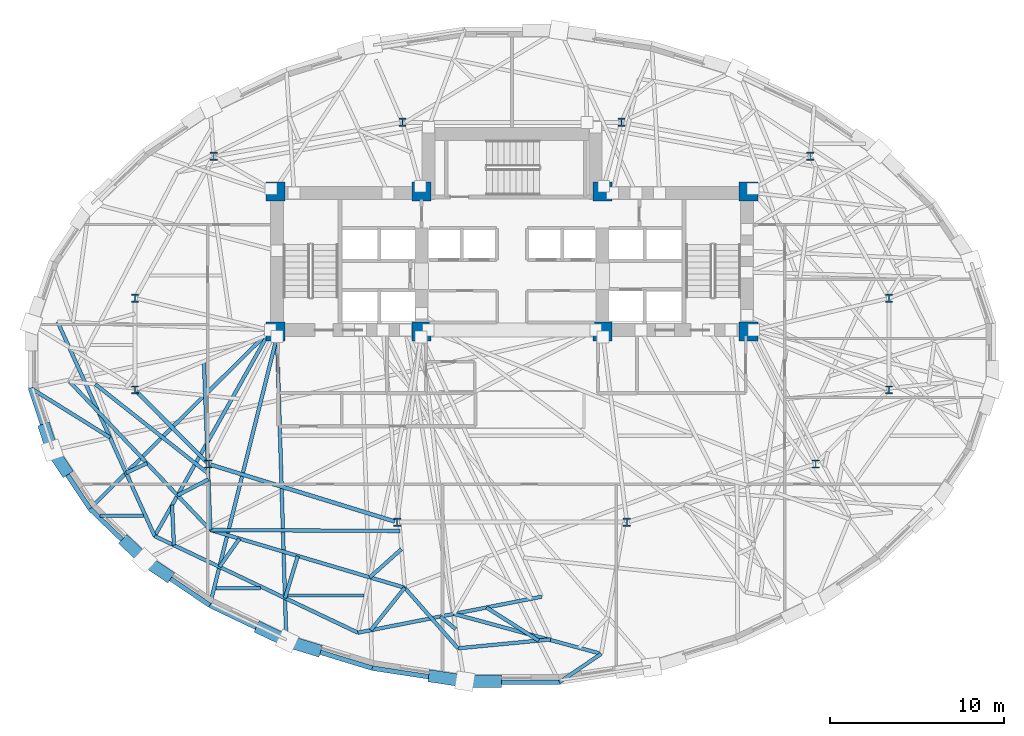
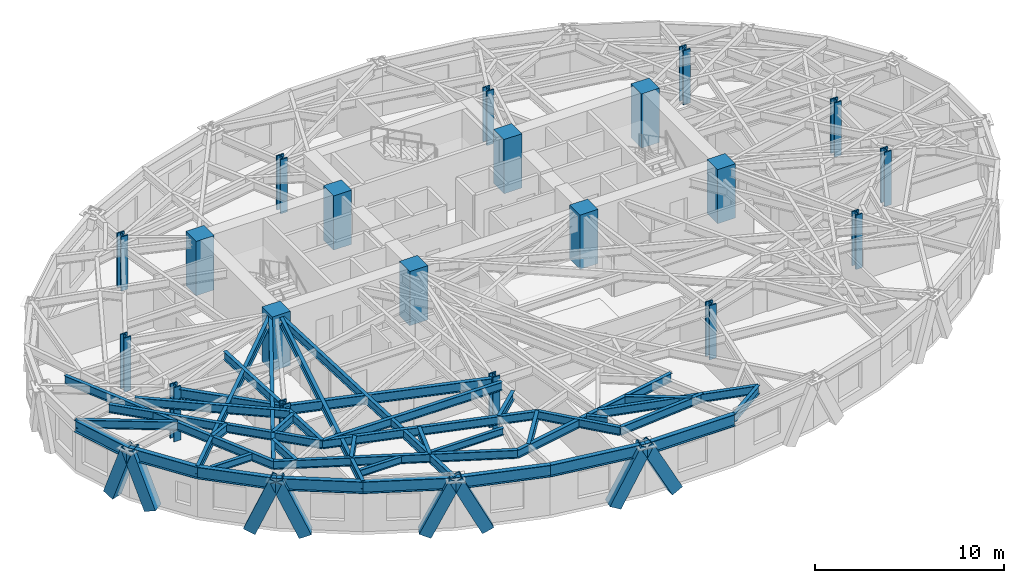
# One storey, part 1 of 14: 39 beams, 20 columns, 8 members.
"""IFC4 building model written with IfcOpenShell, lengths in metres."""

from ifc_helpers import new_model, si_unit, direction, frame, origin, origin_2d, place, context, subcontext, project, spatial, rectangle, hollow_rectangle, i_section, extrude, material, material_profile, profile_set, type_object, element, save


model = new_model("IFC4")

# Units and contexts
model_context = context("Model", 3, precision=1e-05, world=origin(), true_north=direction((0.0, 1.0)))
body_context = subcontext(model_context, "Body", "Model", "MODEL_VIEW")
ifc_project = project(units=[si_unit("LENGTHUNIT", "METRE"), si_unit("AREAUNIT", "SQUARE_METRE"), si_unit("VOLUMEUNIT", "CUBIC_METRE"), si_unit("PLANEANGLEUNIT", "RADIAN"), si_unit("MASSUNIT", "GRAM", prefix="KILO")], contexts=[model_context])

# Site, building, storey
site_placement = place(None, origin())
site = spatial("IfcSite", under=ifc_project, at=site_placement, CompositionType="ELEMENT")
building_placement = place(site_placement, origin())
building = spatial("IfcBuilding", under=site, at=building_placement, Name="Keldmark Tower", CompositionType="ELEMENT")
storey_placement = place(building_placement, frame((0.0, 0.0, 100.10009765625)))
storey = spatial("IfcBuildingStorey", under=building, at=storey_placement, Name="L26", CompositionType="ELEMENT", Elevation=100.10009765625)

# Columns
ifc_material_1 = material(Name="Concrete C70/85", Category="concrete")
ifc_material_profile_1 = material_profile(ifc_material_1, rectangle(XDim=1.10009765625, YDim=1.10009765625, at=origin_2d()), Name="RC1100X1100")
ifc_profile_set_1 = profile_set([ifc_material_profile_1], Name="Concrete C70/85")
column_type_1 = type_object("IfcColumnType", Name="Core Boundary Column RC1100", PredefinedType="COLUMN", material=ifc_profile_set_1)
for number, where, z_axis, x_axis, name in (
    (1, (-13.60009765625, 1.39990234375, 0.0), (0.0, 0.0, 1.0), (1.0, 0.0, 0.0), "L26 Core Boundary Column CC-W1"),
    (2, (-13.60009765625, 9.449951171875, 0.0), (0.0, 0.0, 1.0), (1.0, 0.0, 0.0), "L26 Core Boundary Column CC-W2"),
    (3, (-5.199951171875, 1.39990234375, 0.0), (0.0, 0.0, 1.0), (1.0, 0.0, 0.0), "L26 Core Boundary Column CC-W3"),
    (4, (-5.199951171875, 9.449951171875, 0.0), (0.0, 0.0, 1.0), (1.0, 0.0, 0.0), "L26 Core Boundary Column CC-W4"),
    (5, (5.199951171875, 1.39990234375, 0.0), (0.0, 0.0, 1.0), (1.0, 0.0, 0.0), "L26 Core Boundary Column CC-E1"),
    (6, (5.199951171875, 9.449951171875, 0.0), (0.0, 0.0, 1.0), (1.0, 0.0, 0.0), "L26 Core Boundary Column CC-E2"),
    (7, (13.60009765625, 1.39990234375, 0.0), (0.0, 0.0, 1.0), (1.0, 0.0, 0.0), "L26 Core Boundary Column CC-E3"),
    (8, (13.60009765625, 9.449951171875, 0.0), (0.0, 0.0, 1.0), (1.0, 0.0, 0.0), "L26 Core Boundary Column CC-E4"),
):
    element("IfcColumn", number, at=place(storey_placement, frame(where, z_axis=z_axis, x_axis=x_axis)), inside=storey, type_object=column_type_1, Name=name, PredefinedType="COLUMN", context=body_context, shape_type="SweptSolid", body=[
        extrude(rectangle(XDim=1.10009765625, YDim=1.10009765625, at=origin_2d()), origin(), (0.0, 0.0, 1.0), 3.5),
    ])
ifc_material_2 = material(Name="Steel ASTM A992 Grade 50", Category="steel")
ifc_material_profile_2 = material_profile(ifc_material_2, i_section(OverallWidth=0.424072265625, OverallDepth=0.47412109375, WebThickness=0.047607421875, FlangeThickness=0.0771484375, at=origin_2d()), Name="W14X426")
ifc_profile_set_2 = profile_set([ifc_material_profile_2], Name="Steel ASTM A992 Grade 50")
column_type_2 = type_object("IfcColumnType", Name="Tower Gravity Column W14X426", PredefinedType="COLUMN", material=ifc_profile_set_2)
for number, where, z_axis, x_axis, name in (
    (9, (21.697021484375, 3.309814453125, 0.0), (0.0, 0.0, 1.0), (1.0, 0.0, 0.0), "L26 Tower Gravity Column TC-E1"),
    (10, (17.1669921875, 11.478271484375, 0.0), (0.0, 0.0, 1.0), (1.0, 0.0, 0.0), "L26 Tower Gravity Column TC-E4"),
    (11, (6.298828125, 13.4326171875, 0.0), (0.0, 0.0, 1.0), (1.0, 0.0, 0.0), "L26 Tower Gravity Column TC-N2"),
    (12, (-6.298828125, 13.4326171875, 0.0), (0.0, 0.0, 1.0), (1.0, 0.0, 0.0), "L26 Tower Gravity Column TC-N1"),
    (13, (-17.1669921875, 11.478271484375, 0.0), (0.0, 0.0, 1.0), (1.0, 0.0, 0.0), "L26 Tower Gravity Column TC-W4"),
    (14, (-21.697021484375, 3.309814453125, 0.0), (0.0, 0.0, 1.0), (1.0, 0.0, 0.0), "L26 Tower Gravity Column TC-W1"),
    (15, (-21.697021484375, -1.9658203125, 0.0), (0.0, 0.0, 1.0), (1.0, 0.0, 0.0), "L26 Tower Gravity Column TC-W5"),
    (16, (-17.477294921875, -6.2294921875, 0.0), (0.0, 0.0, 1.0), (1.0, 0.0, 0.0), "L26 Tower Gravity Column TC-W2"),
    (17, (-6.61279296875, -9.579345703125, 0.0), (0.0, 0.0, 1.0), (1.0, 0.0, 0.0), "L26 Tower Gravity Column TC-W3"),
    (18, (6.61279296875, -9.579345703125, 0.0), (0.0, 0.0, 1.0), (1.0, 0.0, 0.0), "L26 Tower Gravity Column TC-E3"),
    (19, (17.477294921875, -6.2294921875, 0.0), (0.0, 0.0, 1.0), (1.0, 0.0, 0.0), "L26 Tower Gravity Column TC-E2"),
    (20, (21.697021484375, -1.9658203125, 0.0), (0.0, 0.0, 1.0), (1.0, 0.0, 0.0), "L26 Tower Gravity Column TC-E5"),
):
    element("IfcColumn", number, at=place(storey_placement, frame(where, z_axis=z_axis, x_axis=x_axis)), inside=storey, type_object=column_type_2, Name=name, PredefinedType="COLUMN", context=body_context, shape_type="SweptSolid", body=[
        extrude(i_section(OverallWidth=0.424072265625, OverallDepth=0.47412109375, WebThickness=0.047607421875, FlangeThickness=0.0771484375, at=origin_2d()), origin(), (0.0, 0.0, 1.0), 3.5),
    ])

# Beams
ifc_material_3 = material(Name="Steel ASTM A992 Grade 50", Category="steel")
ifc_material_profile_3 = material_profile(ifc_material_3, i_section(OverallWidth=0.19091796875, OverallDepth=0.45703125, WebThickness=0.009033203125, FlangeThickness=0.014404296875, at=origin_2d()), Name="W18X50")
ifc_profile_set_3 = profile_set([ifc_material_profile_3], Name="Steel ASTM A992 Grade 50")
beam_type_1 = type_object("IfcBeamType", Name="Composite Floor Joist W18X50", PredefinedType="JOIST", material=ifc_profile_set_3)
beam_1_placement = place(storey_placement, frame((-17.044677734375, -13.3798828125, 3.081298828125), z_axis=(1.0, 0.0, 0.0), x_axis=(0.0, 1.0, 0.0)))
element("IfcBeam", 21, at=beam_1_placement, inside=storey, type_object=beam_type_1, Name="L26 Composite Floor Joist J01", PredefinedType="JOIST", context=body_context, shape_type="SweptSolid", body=[
    extrude(i_section(OverallWidth=0.19091796875, OverallDepth=0.45703125, WebThickness=0.009033203125, FlangeThickness=0.014404296875, at=origin_2d()), origin(), (0.0, 0.0, 1.0), 2.5625),
])
beam_2_placement = place(storey_placement, frame((-12.91748046875, -13.800048828125, 3.081298828125), z_axis=(1.0, 0.0, 0.0), x_axis=(0.0, 1.0, 0.0)))
element("IfcBeam", 22, at=beam_2_placement, inside=storey, type_object=beam_type_1, Name="L26 Composite Floor Joist J02", PredefinedType="JOIST", context=body_context, shape_type="SweptSolid", body=[
    extrude(i_section(OverallWidth=0.19091796875, OverallDepth=0.45703125, WebThickness=0.009033203125, FlangeThickness=0.014404296875, at=origin_2d()), origin(), (0.0, 0.0, 1.0), 4.411376953125),
])
beam_3_placement = place(storey_placement, frame((-23.697265625, -9.199951171875, 3.081298828125), z_axis=(1.0, 0.0, 0.0), x_axis=(0.0, 1.0, 0.0)))
element("IfcBeam", 23, at=beam_3_placement, inside=storey, type_object=beam_type_1, Name="L26 Composite Floor Joist J03", PredefinedType="JOIST", context=body_context, shape_type="SweptSolid", body=[
    extrude(i_section(OverallWidth=0.19091796875, OverallDepth=0.45703125, WebThickness=0.009033203125, FlangeThickness=0.014404296875, at=origin_2d()), origin(), (0.0, 0.0, 1.0), 2.493896484375),
])

# Members
ifc_material_4 = material(Name="Steel ASTM A572 Grade 50", Category="steel")
ifc_material_profile_4 = material_profile(ifc_material_4, hollow_rectangle(XDim=0.699951171875, YDim=0.699951171875, WallThickness=0.044921875, at=origin_2d()), Name="BOX700X700X45")
ifc_profile_set_4 = profile_set([ifc_material_profile_4], Name="Steel ASTM A572 Grade 50")
member_type = type_object("IfcMemberType", Name="Diagrid Zone 2 Brace BOX700X700X45", PredefinedType="BRACE", material=ifc_profile_set_4)
member_1_placement = place(storey_placement, frame((-26.860595703125, -4.2470703125, -0.27001953125), z_axis=(0.107952872963, -0.326045509503, 0.939170113958), x_axis=(0.94931811266, 0.314316911692, 0.0)))
element("IfcMember", 24, at=member_1_placement, inside=storey, type_object=member_type, Name="L26 Perimeter Diagrid Brace 09A", PredefinedType="BRACE", context=body_context, shape_type="SweptSolid", body=[
    extrude(hollow_rectangle(XDim=0.699951171875, YDim=0.699951171875, WallThickness=0.044921875, at=origin_2d()), origin(), (0.0, 0.0, 1.0), 3.68408203125),
])
member_2_placement = place(storey_placement, frame((-25.721923828125, -6.552734375, -0.27001953125), z_axis=(-0.200341239284, 0.300742136213, 0.932425629929), x_axis=(-0.832246318765, -0.554406046957, 0.0)))
element("IfcMember", 25, at=member_2_placement, inside=storey, type_object=member_type, Name="L26 Perimeter Diagrid Brace 09B", PredefinedType="BRACE", context=body_context, shape_type="SweptSolid", body=[
    extrude(hollow_rectangle(XDim=0.699951171875, YDim=0.699951171875, WallThickness=0.044921875, at=origin_2d()), origin(), (0.0, 0.0, 1.0), 3.710693359375),
])
member_3_placement = place(storey_placement, frame((-22.171142578125, -10.764892578125, -0.27001953125), z_axis=(0.276144933571, -0.265716991779, 0.923654944199), x_axis=(0.693370375166, 0.720581378362, 0.0)))
element("IfcMember", 26, at=member_3_placement, inside=storey, type_object=member_type, Name="L26 Perimeter Diagrid Brace 10A", PredefinedType="BRACE", context=body_context, shape_type="SweptSolid", body=[
    extrude(hollow_rectangle(XDim=0.699951171875, YDim=0.699951171875, WallThickness=0.044921875, at=origin_2d()), origin(), (0.0, 0.0, 1.0), 3.745849609375),
])
member_4_placement = place(storey_placement, frame((-19.876708984375, -12.60888671875, -0.27001953125), z_axis=(-0.334798050685, 0.226898601813, 0.914563988878), x_axis=(-0.561017482362, -0.827803952928, 0.0)))
element("IfcMember", 27, at=member_4_placement, inside=storey, type_object=member_type, Name="L26 Perimeter Diagrid Brace 10B", PredefinedType="BRACE", context=body_context, shape_type="SweptSolid", body=[
    extrude(hollow_rectangle(XDim=0.699951171875, YDim=0.699951171875, WallThickness=0.044921875, at=origin_2d()), origin(), (0.0, 0.0, 1.0), 3.783203125),
])
member_5_placement = place(storey_placement, frame((-14.4150390625, -15.720458984375, -0.27001953125), z_axis=(0.384014962148, -0.183387258279, 0.904931832984), x_axis=(0.430935108563, 0.902382918836, 0.0)))
element("IfcMember", 28, at=member_5_placement, inside=storey, type_object=member_type, Name="L26 Perimeter Diagrid Brace 11A", PredefinedType="BRACE", context=body_context, shape_type="SweptSolid", body=[
    extrude(hollow_rectangle(XDim=0.699951171875, YDim=0.699951171875, WallThickness=0.044921875, at=origin_2d()), origin(), (0.0, 0.0, 1.0), 3.823486328125),
])
member_6_placement = place(storey_placement, frame((-11.31005859375, -16.9189453125, -0.27001953125), z_axis=(-0.426031471632, 0.13032368416, 0.89527254092), x_axis=(-0.292521121678, -0.956259061851, 0.0)))
element("IfcMember", 29, at=member_6_placement, inside=storey, type_object=member_type, Name="L26 Perimeter Diagrid Brace 11B", PredefinedType="BRACE", context=body_context, shape_type="SweptSolid", body=[
    extrude(hollow_rectangle(XDim=0.699951171875, YDim=0.699951171875, WallThickness=0.044921875, at=origin_2d()), origin(), (0.0, 0.0, 1.0), 3.86474609375),
])
member_7_placement = place(storey_placement, frame((-4.484375, -18.46142578125, -0.27001953125), z_axis=(0.454742835075, -0.069170031679, 0.887932689265), x_axis=(0.150378326098, 0.98862852429, 0.0)))
element("IfcMember", 30, at=member_7_placement, inside=storey, type_object=member_type, Name="L26 Perimeter Diagrid Brace 12A", PredefinedType="BRACE", context=body_context, shape_type="SweptSolid", body=[
    extrude(hollow_rectangle(XDim=0.699951171875, YDim=0.699951171875, WallThickness=0.044921875, at=origin_2d()), origin(), (0.0, 0.0, 1.0), 3.896728515625),
])
member_8_placement = place(storey_placement, frame((-0.904052734375, -18.728759765625, -0.27001953125), z_axis=(-0.465504471346, 0.0, 0.885045528296), x_axis=(0.0, -1.0, 0.0)))
element("IfcMember", 31, at=member_8_placement, inside=storey, type_object=member_type, Name="L26 Perimeter Diagrid Brace 12B", PredefinedType="BRACE", context=body_context, shape_type="SweptSolid", body=[
    extrude(hollow_rectangle(XDim=0.699951171875, YDim=0.699951171875, WallThickness=0.044921875, at=origin_2d()), origin(), (0.0, 0.0, 1.0), 3.909423828125),
])

# Beams
ifc_material_5 = material(Name="Steel ASTM A992 Grade 50", Category="steel")
ifc_material_profile_5 = material_profile(ifc_material_5, i_section(OverallWidth=0.22900390625, OverallDepth=0.612060546875, WebThickness=0.011962890625, FlangeThickness=0.01953125, at=origin_2d()), Name="W24X84")
ifc_profile_set_5 = profile_set([ifc_material_profile_5], Name="Steel ASTM A992 Grade 50")
beam_type_2 = type_object("IfcBeamType", Name="Primary Floor Girder W24X84", PredefinedType="BEAM", material=ifc_profile_set_5)
beam_4_placement = place(storey_placement, frame((-21.598388671875, -2.0654296875, 3.00390625), z_axis=(0.703425791323, -0.71076870788, 0.0), x_axis=(0.71076870788, 0.703425791323, 0.0)))
element("IfcBeam", 32, at=beam_4_placement, inside=storey, type_object=beam_type_2, Name="L26 Floor Ring Girder FG-R07", PredefinedType="BEAM", context=body_context, shape_type="SweptSolid", body=[
    extrude(i_section(OverallWidth=0.22900390625, OverallDepth=0.612060546875, WebThickness=0.011962890625, FlangeThickness=0.01953125, at=origin_2d()), origin(), (0.0, 0.0, 1.0), 5.71875),
])
beam_5_placement = place(storey_placement, frame((-17.343505859375, -6.270751953125, 3.00390625), z_axis=(0.955607954968, -0.294641199432, 0.0), x_axis=(0.294641199432, 0.955607954968, 0.0)))
element("IfcBeam", 33, at=beam_5_placement, inside=storey, type_object=beam_type_2, Name="L26 Floor Ring Girder FG-R08", PredefinedType="BEAM", context=body_context, shape_type="SweptSolid", body=[
    extrude(i_section(OverallWidth=0.22900390625, OverallDepth=0.612060546875, WebThickness=0.011962890625, FlangeThickness=0.01953125, at=origin_2d()), origin(), (0.0, 0.0, 1.0), 11.089111328125),
])
ifc_material_6 = material(Name="Steel ASTM A992 Grade 50", Category="steel")
ifc_material_profile_6 = material_profile(ifc_material_6, i_section(OverallWidth=0.2099609375, OverallDepth=0.537109375, WebThickness=0.010986328125, FlangeThickness=0.017333984375, at=origin_2d()), Name="W21X68")
ifc_profile_set_6 = profile_set([ifc_material_profile_6], Name="Steel ASTM A992 Grade 50")
beam_type_3 = type_object("IfcBeamType", Name="Radial Tie Girder W21X68", PredefinedType="BEAM", material=ifc_profile_set_6)
beam_6_placement = place(storey_placement, frame((-23.97900390625, -1.637939453125, 3.04150390625), z_axis=(0.78414802779, -0.62057382358, 0.0), x_axis=(0.62057382358, 0.78414802779, 0.0)))
element("IfcBeam", 34, at=beam_6_placement, inside=storey, type_object=beam_type_3, Name="L26 Framing Pin Header PH-005", PredefinedType="BEAM", context=body_context, shape_type="SweptSolid", body=[
    extrude(i_section(OverallWidth=0.2099609375, OverallDepth=0.537109375, WebThickness=0.010986328125, FlangeThickness=0.017333984375, at=origin_2d()), origin(), (0.0, 0.0, 1.0), 8.281982421875),
])
beam_7_placement = place(storey_placement, frame((-17.7314453125, -0.3173828125, 3.04150390625), z_axis=(0.038214090549, -0.999269574881, 0.0), x_axis=(0.999269574881, 0.038214090549, 0.0)))
element("IfcBeam", 35, at=beam_7_placement, inside=storey, type_object=beam_type_3, Name="L26 Sub-Ring Step Girder STP1-M08", PredefinedType="BEAM", context=body_context, shape_type="SweptSolid", body=[
    extrude(i_section(OverallWidth=0.2099609375, OverallDepth=0.537109375, WebThickness=0.010986328125, FlangeThickness=0.017333984375, at=origin_2d()), origin(), (0.0, 0.0, 1.0), 9.71728515625),
])
beam_8_placement = place(storey_placement, frame((-17.360107421875, -10.027587890625, 3.04150390625), z_axis=(0.999986059239, -0.005280277218, 0.0), x_axis=(0.005280277218, 0.999986059239, 0.0)))
element("IfcBeam", 36, at=beam_8_placement, inside=storey, type_object=beam_type_3, Name="L26 Framing Pin Header PH-006", PredefinedType="BEAM", context=body_context, shape_type="SweptSolid", body=[
    extrude(i_section(OverallWidth=0.2099609375, OverallDepth=0.537109375, WebThickness=0.010986328125, FlangeThickness=0.017333984375, at=origin_2d()), origin(), (0.0, 0.0, 1.0), 10.911865234375),
])
beam_9_placement = place(storey_placement, frame((-25.46142578125, -1.48681640625, 3.04150390625), z_axis=(0.688194938593, -0.725525827586, 0.0), x_axis=(0.725525827586, 0.688194938593, 0.0)))
element("IfcBeam", 37, at=beam_9_placement, inside=storey, type_object=beam_type_3, Name="L26 Perimeter Collector Ring Beam CRG1-M07", PredefinedType="BEAM", context=body_context, shape_type="SweptSolid", body=[
    extrude(i_section(OverallWidth=0.2099609375, OverallDepth=0.537109375, WebThickness=0.010986328125, FlangeThickness=0.017333984375, at=origin_2d()), origin(), (0.0, 0.0, 1.0), 11.771728515625),
])
beam_10_placement = place(storey_placement, frame((-17.360107421875, -10.027587890625, 3.04150390625), z_axis=(0.958614481786, -0.284707350293, 0.0), x_axis=(0.284707350293, 0.958614481786, 0.0)))
element("IfcBeam", 38, at=beam_10_placement, inside=storey, type_object=beam_type_3, Name="L26 Perimeter Collector Ring Beam CRG1-M08", PredefinedType="BEAM", context=body_context, shape_type="SweptSolid", body=[
    extrude(i_section(OverallWidth=0.2099609375, OverallDepth=0.537109375, WebThickness=0.010986328125, FlangeThickness=0.017333984375, at=origin_2d()), origin(), (0.0, 0.0, 1.0), 11.668212890625),
])
beam_11_placement = place(storey_placement, frame((-17.4716796875, -7.114501953125, 3.04150390625), z_axis=(-0.887240764754, -0.461306650027, 0.0), x_axis=(0.461306650027, -0.887240764754, 0.0)))
element("IfcBeam", 39, at=beam_11_placement, inside=storey, type_object=beam_type_3, Name="L26 Framing Pin Header PH-011", PredefinedType="BEAM", context=body_context, shape_type="SweptSolid", body=[
    extrude(i_section(OverallWidth=0.2099609375, OverallDepth=0.537109375, WebThickness=0.010986328125, FlangeThickness=0.017333984375, at=origin_2d()), origin(), (0.0, 0.0, 1.0), 2.00146484375),
])
beam_12_placement = place(storey_placement, frame((-13.89990234375, 1.47509765625, 3.04150390625), z_axis=(-0.490020847503, -0.871710714063, 0.0), x_axis=(0.871710714063, -0.490020847503, 0.0)))
element("IfcBeam", 40, at=beam_12_placement, inside=storey, type_object=beam_type_3, Name="L26 Sub-Ring Step Girder STP2-M08", PredefinedType="BEAM", context=body_context, shape_type="SweptSolid", body=[
    extrude(i_section(OverallWidth=0.2099609375, OverallDepth=0.537109375, WebThickness=0.010986328125, FlangeThickness=0.017333984375, at=origin_2d()), origin(), (0.0, 0.0, 1.0), 13.5986328125),
])
beam_13_placement = place(storey_placement, frame((-6.361328125, -11.1259765625, 3.04150390625), z_axis=(-0.745675120469, -0.666309698799, 0.0), x_axis=(0.666309698799, -0.745675120469, 0.0)))
element("IfcBeam", 41, at=beam_13_placement, inside=storey, type_object=beam_type_3, Name="L26 Framing Pin Header PH-012", PredefinedType="BEAM", context=body_context, shape_type="SweptSolid", body=[
    extrude(i_section(OverallWidth=0.2099609375, OverallDepth=0.537109375, WebThickness=0.010986328125, FlangeThickness=0.017333984375, at=origin_2d()), origin(), (0.0, 0.0, 1.0), 2.4423828125),
])
beam_14_placement = place(storey_placement, frame((-26.153076171875, 1.956787109375, 3.04150390625), z_axis=(0.412729676036, -0.910853563708, 0.0), x_axis=(0.910853563708, 0.412729676036, 0.0)))
element("IfcBeam", 42, at=beam_14_placement, inside=storey, type_object=beam_type_3, Name="L26 Perimeter Collector Ring Beam CRG2-M07", PredefinedType="BEAM", context=body_context, shape_type="SweptSolid", body=[
    extrude(i_section(OverallWidth=0.2099609375, OverallDepth=0.537109375, WebThickness=0.010986328125, FlangeThickness=0.017333984375, at=origin_2d()), origin(), (0.0, 0.0, 1.0), 13.54296875),
])
beam_15_placement = place(storey_placement, frame((-20.5634765625, -10.37890625, 3.04150390625), z_axis=(0.903101524263, -0.429427103097, 0.0), x_axis=(0.429427103097, 0.903101524263, 0.0)))
element("IfcBeam", 43, at=beam_15_placement, inside=storey, type_object=beam_type_3, Name="L26 Perimeter Collector Ring Beam CRG2-M08", PredefinedType="BEAM", context=body_context, shape_type="SweptSolid", body=[
    extrude(i_section(OverallWidth=0.2099609375, OverallDepth=0.537109375, WebThickness=0.010986328125, FlangeThickness=0.017333984375, at=origin_2d()), origin(), (0.0, 0.0, 1.0), 12.949951171875),
])
beam_16_placement = place(storey_placement, frame((-8.868408203125, -15.93994140625, 3.04150390625), z_axis=(0.98130074481, 0.192480773677, 0.0), x_axis=(-0.192480773677, 0.98130074481, 0.0)))
element("IfcBeam", 44, at=beam_16_placement, inside=storey, type_object=beam_type_3, Name="L26 Perimeter Collector Ring Beam CRG2-M09", PredefinedType="BEAM", context=body_context, shape_type="SweptSolid", body=[
    extrude(i_section(OverallWidth=0.2099609375, OverallDepth=0.537109375, WebThickness=0.010986328125, FlangeThickness=0.017333984375, at=origin_2d()), origin(), (0.0, 0.0, 1.0), 10.77490234375),
])
beam_17_placement = place(storey_placement, frame((-27.7158203125, -1.8505859375, 3.04150390625), z_axis=(0.848744482282, -0.528803180584, 0.0), x_axis=(0.528803180584, 0.848744482282, 0.0)))
element("IfcBeam", 45, at=beam_17_placement, inside=storey, type_object=beam_type_3, Name="L26 Framing Pin Header PH-026", PredefinedType="BEAM", context=body_context, shape_type="SweptSolid", body=[
    extrude(i_section(OverallWidth=0.2099609375, OverallDepth=0.537109375, WebThickness=0.010986328125, FlangeThickness=0.017333984375, at=origin_2d()), origin(), (0.0, 0.0, 1.0), 5.39794921875),
])
beam_18_placement = place(storey_placement, frame((-21.005615234375, -6.18408203125, 3.04150390625), z_axis=(-0.907059096304, -0.421003320428, 0.0), x_axis=(0.421003320428, -0.907059096304, 0.0)))
element("IfcBeam", 46, at=beam_18_placement, inside=storey, type_object=beam_type_3, Name="L26 Framing Pin Header PH-027", PredefinedType="BEAM", context=body_context, shape_type="SweptSolid", body=[
    extrude(i_section(OverallWidth=0.2099609375, OverallDepth=0.537109375, WebThickness=0.010986328125, FlangeThickness=0.017333984375, at=origin_2d()), origin(), (0.0, 0.0, 1.0), 1.32861328125),
])
beam_19_placement = place(storey_placement, frame((-13.89990234375, 1.47509765625, 3.04150390625), z_axis=(-0.711046002609, -0.703145491469, 0.0), x_axis=(0.703145491469, -0.711046002609, 0.0)))
element("IfcBeam", 47, at=beam_19_placement, inside=storey, type_object=beam_type_3, Name="L26 Perimeter Radial Tie Girder RT-19", PredefinedType="BEAM", context=body_context, shape_type="SweptSolid", body=[
    extrude(i_section(OverallWidth=0.2099609375, OverallDepth=0.537109375, WebThickness=0.010986328125, FlangeThickness=0.017333984375, at=origin_2d()), origin(), (0.0, 0.0, 1.0), 14.61669921875),
])
beam_20_placement = place(storey_placement, frame((-19.56396484375, -8.6005859375, 3.04150390625), z_axis=(0.046458943525, -0.9989202003, 0.0), x_axis=(0.9989202003, 0.046458943525, 0.0)))
element("IfcBeam", 48, at=beam_20_placement, inside=storey, type_object=beam_type_3, Name="L26 Framing Pin Header PH-028", PredefinedType="BEAM", context=body_context, shape_type="SweptSolid", body=[
    extrude(i_section(OverallWidth=0.2099609375, OverallDepth=0.537109375, WebThickness=0.010986328125, FlangeThickness=0.017333984375, at=origin_2d()), origin(), (0.0, 0.0, 1.0), 2.306884765625),
])
beam_21_placement = place(storey_placement, frame((-15.682373046875, -10.52587890625, 3.04150390625), z_axis=(-0.579104315433, -0.815253452521, 0.0), x_axis=(0.815253452521, -0.579104315433, 0.0)))
element("IfcBeam", 49, at=beam_21_placement, inside=storey, type_object=beam_type_3, Name="L26 Framing Pin Header PH-029", PredefinedType="BEAM", context=body_context, shape_type="SweptSolid", body=[
    extrude(i_section(OverallWidth=0.2099609375, OverallDepth=0.537109375, WebThickness=0.010986328125, FlangeThickness=0.017333984375, at=origin_2d()), origin(), (0.0, 0.0, 1.0), 1.9931640625),
])
beam_22_placement = place(storey_placement, frame((-13.52490234375, 1.10009765625, 3.04150390625), z_axis=(-0.242470755884, -0.970158715129, 0.0), x_axis=(0.970158715129, -0.242470755884, 0.0)))
element("IfcBeam", 50, at=beam_22_placement, inside=storey, type_object=beam_type_3, Name="L26 Perimeter Radial Tie Girder RT-21", PredefinedType="BEAM", context=body_context, shape_type="SweptSolid", body=[
    extrude(i_section(OverallWidth=0.2099609375, OverallDepth=0.537109375, WebThickness=0.010986328125, FlangeThickness=0.017333984375, at=origin_2d()), origin(), (0.0, 0.0, 1.0), 15.93994140625),
])
beam_23_placement = place(storey_placement, frame((-12.326904296875, -11.5224609375, 3.04150390625), z_axis=(-0.290459536612, -0.956887275279, 0.0), x_axis=(0.956887275279, -0.290459536612, 0.0)))
element("IfcBeam", 51, at=beam_23_placement, inside=storey, type_object=beam_type_3, Name="L26 Framing Pin Header PH-030", PredefinedType="BEAM", context=body_context, shape_type="SweptSolid", body=[
    extrude(i_section(OverallWidth=0.2099609375, OverallDepth=0.537109375, WebThickness=0.010986328125, FlangeThickness=0.017333984375, at=origin_2d()), origin(), (0.0, 0.0, 1.0), 2.532470703125),
])
beam_24_placement = place(storey_placement, frame((-13.52490234375, 1.10009765625, 3.04150390625), z_axis=(0.030725213616, -0.99952786917, 0.0), x_axis=(0.99952786917, 0.030725213616, 0.0)))
element("IfcBeam", 52, at=beam_24_placement, inside=storey, type_object=beam_type_3, Name="L26 Perimeter Radial Tie Girder RT-22", PredefinedType="BEAM", context=body_context, shape_type="SweptSolid", body=[
    extrude(i_section(OverallWidth=0.2099609375, OverallDepth=0.537109375, WebThickness=0.010986328125, FlangeThickness=0.017333984375, at=origin_2d()), origin(), (0.0, 0.0, 1.0), 17.576416015625),
])
beam_25_placement = place(storey_placement, frame((-6.1748046875, -13.349609375, 3.04150390625), z_axis=(-0.622920581585, -0.782285081692, 0.0), x_axis=(0.782285081692, -0.622920581585, 0.0)))
element("IfcBeam", 53, at=beam_25_placement, inside=storey, type_object=beam_type_3, Name="L26 Framing Pin Header PH-031", PredefinedType="BEAM", context=body_context, shape_type="SweptSolid", body=[
    extrude(i_section(OverallWidth=0.2099609375, OverallDepth=0.537109375, WebThickness=0.010986328125, FlangeThickness=0.017333984375, at=origin_2d()), origin(), (0.0, 0.0, 1.0), 3.123779296875),
])
beam_26_placement = place(storey_placement, frame((-6.1748046875, -13.349609375, 3.04150390625), z_axis=(0.659803346611, -0.751438316697, 0.0), x_axis=(0.751438316697, 0.659803346611, 0.0)))
element("IfcBeam", 54, at=beam_26_placement, inside=storey, type_object=beam_type_3, Name="L26 Local Collector Chord RT-24C", PredefinedType="BEAM", context=body_context, shape_type="SweptSolid", body=[
    extrude(i_section(OverallWidth=0.2099609375, OverallDepth=0.537109375, WebThickness=0.010986328125, FlangeThickness=0.017333984375, at=origin_2d()), origin(), (0.0, 0.0, 1.0), 4.64111328125),
])
beam_27_placement = place(storey_placement, frame((-4.1103515625, -15.006591796875, 3.04150390625), z_axis=(0.765908092283, -0.642950071293, 0.0), x_axis=(0.642950071293, 0.765908092283, 0.0)))
element("IfcBeam", 55, at=beam_27_placement, inside=storey, type_object=beam_type_3, Name="L26 Framing Pin Header PH-033", PredefinedType="BEAM", context=body_context, shape_type="SweptSolid", body=[
    extrude(i_section(OverallWidth=0.2099609375, OverallDepth=0.537109375, WebThickness=0.010986328125, FlangeThickness=0.017333984375, at=origin_2d()), origin(), (0.0, 0.0, 1.0), 1.1357421875),
])
beam_28_placement = place(storey_placement, frame((-3.112548828125, -16.837158203125, 3.04150390625), z_axis=(0.995452951304, 0.095254510342, 0.0), x_axis=(-0.095254510342, 0.995452951304, 0.0)))
element("IfcBeam", 56, at=beam_28_placement, inside=storey, type_object=beam_type_3, Name="L26 Local Collector Chord RT-25C", PredefinedType="BEAM", context=body_context, shape_type="SweptSolid", body=[
    extrude(i_section(OverallWidth=0.2099609375, OverallDepth=0.537109375, WebThickness=0.010986328125, FlangeThickness=0.017333984375, at=origin_2d()), origin(), (0.0, 0.0, 1.0), 5.354248046875),
])
beam_29_placement = place(storey_placement, frame((-1.467041015625, -14.488037109375, 3.04150390625), z_axis=(0.843972742046, -0.53638606496, 0.0), x_axis=(0.53638606496, 0.843972742046, 0.0)))
element("IfcBeam", 57, at=beam_29_placement, inside=storey, type_object=beam_type_3, Name="L26 Framing Pin Header PH-035", PredefinedType="BEAM", context=body_context, shape_type="SweptSolid", body=[
    extrude(i_section(OverallWidth=0.2099609375, OverallDepth=0.537109375, WebThickness=0.010986328125, FlangeThickness=0.017333984375, at=origin_2d()), origin(), (0.0, 0.0, 1.0), 3.551025390625),
])
beam_30_placement = place(storey_placement, frame((-3.343017578125, -14.856201171875, 3.04150390625), z_axis=(0.965171392467, -0.261618392248, 0.0), x_axis=(0.261618392248, 0.965171392467, 0.0)))
element("IfcBeam", 58, at=beam_30_placement, inside=storey, type_object=beam_type_3, Name="L26 Intermediate Radial Step Girder RT-26M", PredefinedType="BEAM", context=body_context, shape_type="SweptSolid", body=[
    extrude(i_section(OverallWidth=0.2099609375, OverallDepth=0.537109375, WebThickness=0.010986328125, FlangeThickness=0.017333984375, at=origin_2d()), origin(), (0.0, 0.0, 1.0), 8.780517578125),
])
beam_31_placement = place(storey_placement, frame((2.729736328125, -18.788330078125, 3.04150390625), z_axis=(0.826646650538, 0.562721347698, 0.0), x_axis=(-0.562721347698, 0.826646650538, 0.0)))
element("IfcBeam", 59, at=beam_31_placement, inside=storey, type_object=beam_type_3, Name="L26 Local Collector Chord RT-26C", PredefinedType="BEAM", context=body_context, shape_type="SweptSolid", body=[
    extrude(i_section(OverallWidth=0.2099609375, OverallDepth=0.537109375, WebThickness=0.010986328125, FlangeThickness=0.017333984375, at=origin_2d()), origin(), (0.0, 0.0, 1.0), 2.905517578125),
])
ifc_material_7 = material(Name="Steel ASTM A992 Grade 50", Category="steel")
ifc_material_profile_7 = material_profile(ifc_material_7, i_section(OverallWidth=0.26806640625, OverallDepth=0.77001953125, WebThickness=0.015625, FlangeThickness=0.025390625, at=origin_2d()), Name="W30X132")
ifc_profile_set_7 = profile_set([ifc_material_profile_7], Name="Steel ASTM A992 Grade 50")
beam_type_4 = type_object("IfcBeamType", Name="Spandrel Ring Beam W30X132", PredefinedType="SPANDREL", material=ifc_profile_set_7)
beam_32_placement = place(storey_placement, frame((-27.7158203125, -1.8505859375, 2.9248046875), z_axis=(0.314316911692, -0.94931811266, 0.0), x_axis=(0.94931811266, 0.314316911692, 0.0)))
element("IfcBeam", 60, at=beam_32_placement, inside=storey, type_object=beam_type_4, Name="L26 Perimeter Spandrel Ring Beam SRB-17", PredefinedType="SPANDREL", context=body_context, shape_type="SweptSolid", body=[
    extrude(i_section(OverallWidth=0.26806640625, OverallDepth=0.77001953125, WebThickness=0.015625, FlangeThickness=0.025390625, at=origin_2d()), origin(), (0.0, 0.0, 1.0), 3.7958984375),
])
beam_33_placement = place(storey_placement, frame((-26.522705078125, -5.4541015625, 2.9248046875), z_axis=(0.554265966169, -0.832339617432, 0.0), x_axis=(0.832339617432, 0.554265966169, 0.0)))
element("IfcBeam", 61, at=beam_33_placement, inside=storey, type_object=beam_type_4, Name="L26 Perimeter Spandrel Ring Beam SRB-18", PredefinedType="SPANDREL", context=body_context, shape_type="SweptSolid", body=[
    extrude(i_section(OverallWidth=0.26806640625, OverallDepth=0.77001953125, WebThickness=0.015625, FlangeThickness=0.025390625, at=origin_2d()), origin(), (0.0, 0.0, 1.0), 4.02294921875),
])
beam_34_placement = place(storey_placement, frame((-24.29296875, -8.802490234375, 2.9248046875), z_axis=(0.720581378362, -0.693370375166, 0.0), x_axis=(0.693370375166, 0.720581378362, 0.0)))
element("IfcBeam", 62, at=beam_34_placement, inside=storey, type_object=beam_type_4, Name="L26 Perimeter Spandrel Ring Beam SRB-19", PredefinedType="SPANDREL", context=body_context, shape_type="SweptSolid", body=[
    extrude(i_section(OverallWidth=0.26806640625, OverallDepth=0.77001953125, WebThickness=0.015625, FlangeThickness=0.025390625, at=origin_2d()), origin(), (0.0, 0.0, 1.0), 4.306640625),
])
beam_35_placement = place(storey_placement, frame((-21.189697265625, -11.78857421875, 2.9248046875), z_axis=(0.827754551165, -0.56109036975, 0.0), x_axis=(0.56109036975, 0.827754551165, 0.0)))
element("IfcBeam", 63, at=beam_35_placement, inside=storey, type_object=beam_type_4, Name="L26 Perimeter Spandrel Ring Beam SRB-20", PredefinedType="SPANDREL", context=body_context, shape_type="SweptSolid", body=[
    extrude(i_section(OverallWidth=0.26806640625, OverallDepth=0.77001953125, WebThickness=0.015625, FlangeThickness=0.025390625, at=origin_2d()), origin(), (0.0, 0.0, 1.0), 4.590576171875),
])
beam_36_placement = place(storey_placement, frame((-17.389892578125, -14.3642578125, 2.9248046875), z_axis=(0.902372757907, -0.430956385018, 0.0), x_axis=(0.430956385018, 0.902372757907, 0.0)))
element("IfcBeam", 64, at=beam_36_placement, inside=storey, type_object=beam_type_4, Name="L26 Perimeter Spandrel Ring Beam SRB-21", PredefinedType="SPANDREL", context=body_context, shape_type="SweptSolid", body=[
    extrude(i_section(OverallWidth=0.26806640625, OverallDepth=0.77001953125, WebThickness=0.015625, FlangeThickness=0.025390625, at=origin_2d()), origin(), (0.0, 0.0, 1.0), 4.881591796875),
])
beam_37_placement = place(storey_placement, frame((-12.98486328125, -16.468017578125, 2.9248046875), z_axis=(0.956228569431, -0.292620783617, 0.0), x_axis=(0.292620783617, 0.956228569431, 0.0)))
element("IfcBeam", 65, at=beam_37_placement, inside=storey, type_object=beam_type_4, Name="L26 Perimeter Spandrel Ring Beam SRB-22", PredefinedType="SPANDREL", context=body_context, shape_type="SweptSolid", body=[
    extrude(i_section(OverallWidth=0.26806640625, OverallDepth=0.77001953125, WebThickness=0.015625, FlangeThickness=0.025390625, at=origin_2d()), origin(), (0.0, 0.0, 1.0), 5.165283203125),
])
beam_38_placement = place(storey_placement, frame((-8.045654296875, -17.9794921875, 2.9248046875), z_axis=(0.988621773192, -0.150422702975, 0.0), x_axis=(0.150422702975, 0.988621773192, 0.0)))
element("IfcBeam", 66, at=beam_38_placement, inside=storey, type_object=beam_type_4, Name="L26 Perimeter Spandrel Ring Beam SRB-23", PredefinedType="SPANDREL", context=body_context, shape_type="SweptSolid", body=[
    extrude(i_section(OverallWidth=0.26806640625, OverallDepth=0.77001953125, WebThickness=0.015625, FlangeThickness=0.025390625, at=origin_2d()), origin(), (0.0, 0.0, 1.0), 5.377197265625),
])
beam_39_placement = place(storey_placement, frame((-2.729736328125, -18.788330078125, 2.9248046875), z_axis=(1.0, 0.0, 0.0), x_axis=(0.0, 1.0, 0.0)))
element("IfcBeam", 67, at=beam_39_placement, inside=storey, type_object=beam_type_4, Name="L26 Perimeter Spandrel Ring Beam SRB-24", PredefinedType="SPANDREL", context=body_context, shape_type="SweptSolid", body=[
    extrude(i_section(OverallWidth=0.26806640625, OverallDepth=0.77001953125, WebThickness=0.015625, FlangeThickness=0.025390625, at=origin_2d()), origin(), (0.0, 0.0, 1.0), 5.45947265625),
])

save(model, "model.ifc")
